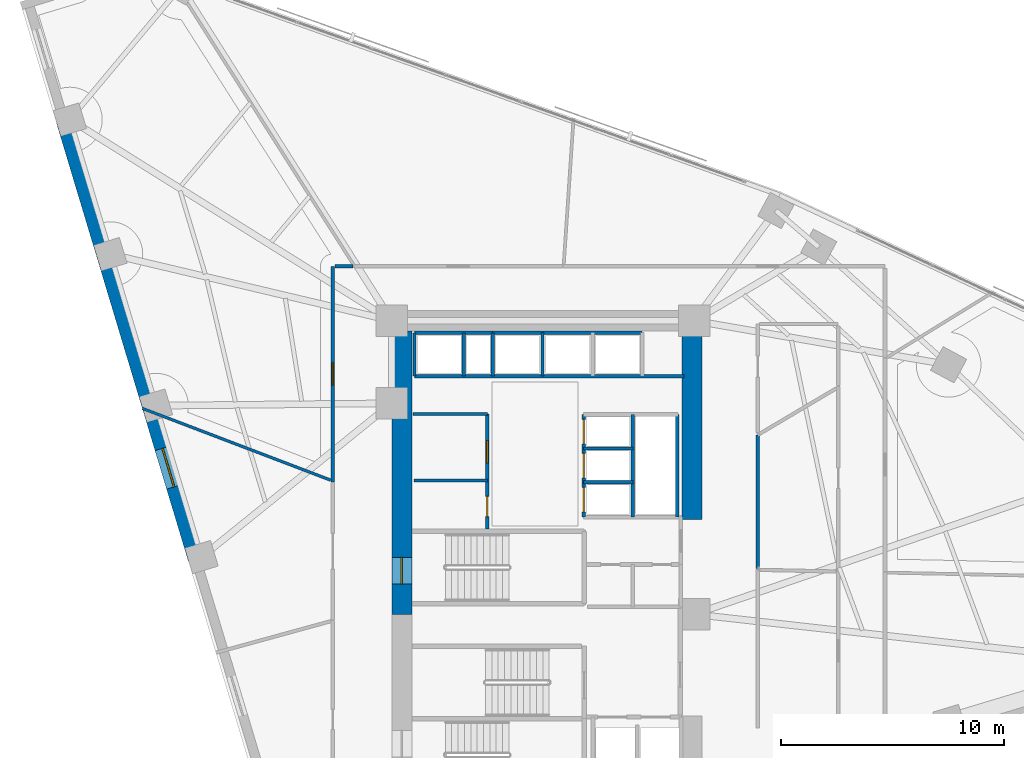
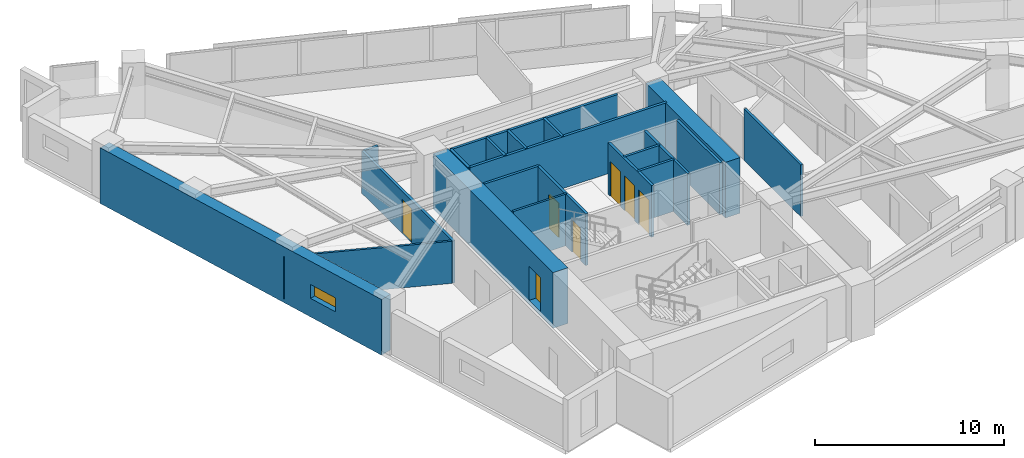
# One storey, part 11 of 16: 22 walls, 7 doors, 1 window, 8 openings.
"""IFC4 building model written with IfcOpenShell, lengths in metres."""

from ifc_helpers import new_model, si_unit, direction, frame, frame_2d, origin, place, context, subcontext, project, spatial, rectangle, extrude, material, layer, layer_set, type_object, element, fill, save


model = new_model("IFC4")

# Units and contexts
model_context = context("Model", 3, precision=1e-05, world=origin(), true_north=direction((0.0, 1.0)))
body_context = subcontext(model_context, "Body", "Model", "MODEL_VIEW")
ifc_project = project(units=[si_unit("LENGTHUNIT", "METRE"), si_unit("AREAUNIT", "SQUARE_METRE"), si_unit("VOLUMEUNIT", "CUBIC_METRE"), si_unit("PLANEANGLEUNIT", "RADIAN"), si_unit("MASSUNIT", "GRAM", prefix="KILO")], contexts=[model_context])

# Site, building, storey
site_placement = place(None, origin())
site = spatial("IfcSite", under=ifc_project, at=site_placement, CompositionType="ELEMENT")
building_placement = place(site_placement, origin())
building = spatial("IfcBuilding", under=site, at=building_placement, Name="Narakoshi Arena Tower", CompositionType="ELEMENT")
storey_placement = place(building_placement, frame((0.0, 0.0, 153.89990234375)))
storey = spatial("IfcBuildingStorey", under=building, at=storey_placement, Name="L41", CompositionType="ELEMENT", Elevation=153.89990234375)

# Wall, opening, door
ifc_material_1 = material(Name="Concrete C60/75", Category="concrete")
ifc_layer_1 = layer(ifc_material_1, 0.89990234375)
ifc_layer_set_1 = layer_set([ifc_layer_1], Name="Concrete C60/75")
wall_type_1 = type_object("IfcWallType", Name="WL-CORE-900", PredefinedType="SHEAR", material=ifc_layer_set_1)
wall_1_placement = place(storey_placement, frame((72.449951171875, 43.35009765625, -0.260009765625), z_axis=(0.0, 0.0, 1.0), x_axis=(0.0, 1.0, 0.0)))
wall_1 = element("IfcWall", 1, at=wall_1_placement, inside=storey, type_object=wall_type_1, Name="L41 Main Core Shear Wall CW-MN-W", PredefinedType="SHEAR", context=body_context, shape_type="SweptSolid", body=[
    extrude(rectangle(XDim=12.699951171875, YDim=0.89990234375, at=frame_2d((6.35009765625, 0.0))), origin(), (0.0, 0.0, 1.0), 3.60009765625),
])
opening_1_placement = place(wall_1_placement, frame((1.35009765625, 0.0, 0.260009765625)))
opening_1 = element("IfcOpeningElement", 2, at=opening_1_placement, cuts=wall_1, Name="Opening D-03", PredefinedType="OPENING", context=body_context, shape_type="SweptSolid", body=[
    extrude(rectangle(XDim=1.199951171875, YDim=2.199951171875, at=frame_2d((0.60009765625, 1.10009765625))), frame((0.0, 0.4599609375, 0.0), z_axis=(0.0, -1.0, 0.0), x_axis=(1.0, 0.0, 0.0)), (0.0, 0.0, 1.0), 0.919921875),
])
ifc_material_2 = material(Name="Painted galvanized steel", Category="steel")
door_type_1 = type_object("IfcDoorType", Name="DR-STR-1200", OperationType="NOTDEFINED", PredefinedType="USERDEFINED", material=ifc_material_2)
door_1_placement = place(opening_1_placement, frame((1.199951171875, 0.0, 0.0), z_axis=(0.0, 0.0, 1.0), x_axis=(-1.0, 0.0, 0.0)))
door_1 = element("IfcDoor", 3, at=door_1_placement, inside=storey, type_object=door_type_1, Name="DR-L41-006", ObjectType="EXITDOOR", OperationType="SINGLE_SWING_LEFT", OverallHeight=2.199951171875, OverallWidth=1.199951171875, PredefinedType="USERDEFINED", context=body_context, shape_type="SweptSolid", body=[
    extrude(rectangle(XDim=1.199951171875, YDim=2.199951171875, at=frame_2d((0.60009765625, 1.10009765625))), frame((0.0, 0.02490234375, 0.0), z_axis=(0.0, -1.0, 0.0), x_axis=(1.0, 0.0, 0.0)), (0.0, 0.0, 1.0), 0.050048828125),
])
fill(opening_1, door_1)

# Wall
wall_2_placement = place(storey_placement, frame((85.449951171875, 47.60009765625, -0.260009765625), z_axis=(0.0, 0.0, 1.0), x_axis=(0.0, 1.0, 0.0)))
element("IfcWall", 4, at=wall_2_placement, inside=storey, type_object=wall_type_1, Name="L41 Main Core Shear Wall CW-MN-E", PredefinedType="SHEAR", context=body_context, shape_type="SweptSolid", body=[
    extrude(rectangle(XDim=8.449951171875, YDim=0.89990234375, at=frame_2d((4.22509765625, 0.0))), origin(), (0.0, 0.0, 1.0), 3.60009765625),
])

# Wall, opening, door
ifc_material_3 = material(Name="Gypsum plasterboard fire-rated partition")
ifc_layer_2 = layer(ifc_material_3, 0.1650390625)
ifc_layer_set_2 = layer_set([ifc_layer_2], Name="Gypsum plasterboard fire-rated partition")
wall_type_2 = type_object("IfcWallType", Name="WL-CORR-165", PredefinedType="PARTITIONING", material=ifc_layer_set_2)
wall_3_placement = place(storey_placement, frame((69.353759765625, 58.93701171875, 0.0), z_axis=(0.0, 0.0, 1.0), x_axis=(0.0, -1.0, 0.0)))
wall_3 = element("IfcWall", 5, at=wall_3_placement, inside=storey, type_object=wall_type_2, Name="L41 Corridor Partition 08-1", PredefinedType="PARTITIONING", context=body_context, shape_type="SweptSolid", body=[
    extrude(rectangle(XDim=9.650634765625, YDim=0.1650390625, at=frame_2d((4.8251953125, 0.0))), origin(), (0.0, 0.0, 1.0), 2.72509765625),
])
opening_2_placement = place(wall_3_placement, frame((4.325439453125, 0.0, 0.0)))
opening_2 = element("IfcOpeningElement", 6, at=opening_2_placement, cuts=wall_3, Name="Opening D-06", PredefinedType="OPENING", context=body_context, shape_type="SweptSolid", body=[
    extrude(rectangle(XDim=1.0, YDim=2.199951171875, at=frame_2d((0.5, 1.10009765625))), frame((0.0, 0.092529296875, 0.0), z_axis=(0.0, -1.0, 0.0), x_axis=(1.0, 0.0, 0.0)), (0.0, 0.0, 1.0), 0.18505859375),
])
ifc_material_4 = material(Name="Stained oak solid-core timber", Category="wood")
door_type_2 = type_object("IfcDoorType", Name="DR-OFF-1000", OperationType="NOTDEFINED", PredefinedType="DOOR", material=ifc_material_4)
door_2_placement = place(opening_2_placement, frame((1.0, 0.0, 0.0), z_axis=(0.0, 0.0, 1.0), x_axis=(-1.0, 0.0, 0.0)))
door_2 = element("IfcDoor", 7, at=door_2_placement, inside=storey, type_object=door_type_2, Name="DR-L41-022", OperationType="SINGLE_SWING_RIGHT", OverallHeight=2.199951171875, OverallWidth=1.0, PredefinedType="DOOR", context=body_context, shape_type="SweptSolid", body=[
    extrude(rectangle(XDim=1.0, YDim=2.199951171875, at=frame_2d((0.5, 1.10009765625))), frame((0.0, 0.02490234375, 0.0), z_axis=(0.0, -1.0, 0.0), x_axis=(1.0, 0.0, 0.0)), (0.0, 0.0, 1.0), 0.050048828125),
])
fill(opening_2, door_2)

# Wall
wall_4_placement = place(storey_placement, frame((70.272705078125, 58.93701171875, 0.0), z_axis=(0.0, 0.0, 1.0), x_axis=(-1.0, 0.0, 0.0)))
element("IfcWall", 8, at=wall_4_placement, inside=storey, type_object=wall_type_2, Name="L41 Corridor Partition 08-2", PredefinedType="PARTITIONING", context=body_context, shape_type="SweptSolid", body=[
    extrude(rectangle(XDim=0.824462890625, YDim=0.1650390625, at=frame_2d((0.412109375, 0.0))), origin(), (0.0, 0.0, 1.0), 2.72509765625),
])

# Wall, opening, window
ifc_layer_3 = layer(ifc_material_1, 0.699951171875)
ifc_layer_set_3 = layer_set([ifc_layer_3], Name="Concrete C60/75")
wall_type_3 = type_object("IfcWallType", Name="WL-LEG-700", PredefinedType="SHEAR", material=ifc_layer_set_3)
wall_5_placement = place(storey_placement, frame((57.322509765625, 65.434326171875, -0.260009765625), z_axis=(0.0, 0.0, 1.0), x_axis=(0.288188159352, -0.957573801234, 0.0)))
wall_5 = element("IfcWall", 9, at=wall_5_placement, inside=storey, type_object=wall_type_3, Name="L41 Architectural Concrete Structural Wall LEGB-2", PredefinedType="SHEAR", context=body_context, shape_type="SweptSolid", body=[
    extrude(rectangle(XDim=20.468994140625, YDim=0.699951171875, at=frame_2d((10.234375, 0.0))), origin(), (0.0, 0.0, 1.0), 3.60009765625),
])
opening_3_placement = place(wall_5_placement, frame((15.300048828125, 0.0, 1.199951171875)))
opening_3 = element("IfcOpeningElement", 10, at=opening_3_placement, cuts=wall_5, Name="Opening WN-02", PredefinedType="OPENING", context=body_context, shape_type="SweptSolid", body=[
    extrude(rectangle(XDim=1.800048828125, YDim=0.89990234375, at=frame_2d((0.89990234375, 0.449951171875))), frame((0.0, 0.35986328125, 0.0), z_axis=(0.0, -1.0, 0.0), x_axis=(1.0, 0.0, 0.0)), (0.0, 0.0, 1.0), 0.719970703125),
])
ifc_material_5 = material(Name="Bronze-tinted low-E laminated glass", Category="glass")
window_type = type_object("IfcWindowType", Name="WIN-SLT-18x09", PartitioningType="SINGLE_PANEL", PredefinedType="WINDOW", material=ifc_material_5)
window_placement = place(opening_3_placement, origin())
window = element("IfcWindow", 11, at=window_placement, inside=storey, type_object=window_type, Name="L41 LEGB2 Horizontal Slot Window 1", OverallHeight=0.89990234375, OverallWidth=1.800048828125, PartitioningType="SINGLE_PANEL", PredefinedType="WINDOW", context=body_context, shape_type="SweptSolid", body=[
    extrude(rectangle(XDim=1.800048828125, YDim=0.89990234375, at=frame_2d((0.89990234375, 0.449951171875))), frame((0.0, 0.030029296875, 0.0), z_axis=(0.0, -1.0, 0.0), x_axis=(1.0, 0.0, 0.0)), (0.0, 0.0, 1.0), 0.06005859375),
])
fill(opening_3, window)

# Walls
ifc_layer_4 = layer(ifc_material_3, 0.125)
ifc_layer_set_4 = layer_set([ifc_layer_4], Name="Gypsum plasterboard fire-rated partition")
wall_type_4 = type_object("IfcWallType", Name="WL-PART-125", PredefinedType="PARTITIONING", material=ifc_layer_set_4)
wall_6_placement = place(storey_placement, frame((73.0, 49.35009765625, 0.0), z_axis=(0.0, 0.0, 1.0), x_axis=(1.0, 0.0, 0.0)))
element("IfcWall", 12, at=wall_6_placement, inside=storey, type_object=wall_type_4, Name="L41 Core Wall RCL-LR-D1", PredefinedType="PARTITIONING", context=body_context, shape_type="SweptSolid", body=[
    extrude(rectangle(XDim=3.280029296875, YDim=0.125, at=frame_2d((1.64013671875, 0.0))), origin(), (0.0, 0.0, 1.0), 3.340087890625),
])
wall_7_placement = place(storey_placement, frame((69.25927734375, 49.36083984375, 0.0), z_axis=(0.0, 0.0, 1.0), x_axis=(-0.934442294221, 0.356114586575, 0.0)))
element("IfcWall", 13, at=wall_7_placement, inside=storey, type_object=wall_type_4, Name="L41 Inter-Room Partition 08-09", PredefinedType="PARTITIONING", context=body_context, shape_type="SweptSolid", body=[
    extrude(rectangle(XDim=9.0234375, YDim=0.125, at=frame_2d((4.51171875, 0.0))), origin(), (0.0, 0.0, 1.0), 2.72509765625),
])
ifc_material_6 = material(Name="Concrete C40/50", Category="concrete")
ifc_layer_5 = layer(ifc_material_6, 0.280029296875)
ifc_layer_set_5 = layer_set([ifc_layer_5], Name="Concrete C40/50")
wall_type_5 = type_object("IfcWallType", Name="WL-RISER-280", PredefinedType="PLUMBINGWALL", material=ifc_layer_set_5)
for number, where, z_axis, x_axis, name in (
    (14, (80.60009765625, 49.260009765625, 0.0), (0.0, 0.0, 1.0), (1.0, 0.0, 0.0), "L41 Core Wall MR-D1"),
    (15, (80.60009765625, 50.780029296875, 0.0), (0.0, 0.0, 1.0), (1.0, 0.0, 0.0), "L41 Core Wall MR-D2"),
):
    element("IfcWall", number, at=place(storey_placement, frame(where, z_axis=z_axis, x_axis=x_axis)), inside=storey, type_object=wall_type_5, Name=name, PredefinedType="PLUMBINGWALL", context=body_context, shape_type="SweptSolid", body=[
        extrude(rectangle(XDim=2.199951171875, YDim=0.14990234375, at=frame_2d((1.10009765625, 0.0))), origin(), (0.0, 0.0, 1.0), 3.340087890625),
    ])
wall_8_placement = place(storey_placement, frame((82.800048828125, 47.699951171875, 0.0), z_axis=(0.0, 0.0, 1.0), x_axis=(0.0, 1.0, 0.0)))
element("IfcWall", 16, at=wall_8_placement, inside=storey, type_object=wall_type_5, Name="L41 Core Wall MR-E", PredefinedType="PLUMBINGWALL", context=body_context, shape_type="SweptSolid", body=[
    extrude(rectangle(XDim=4.60009765625, YDim=0.14990234375, at=frame_2d((2.300048828125, 0.0))), origin(), (0.0, 0.0, 1.0), 3.340087890625),
])
for number, where, z_axis, x_axis, name in (
    (17, (73.02001953125, 54.02001953125, 0.0), (0.0, 0.0, 1.0), (0.0, 1.0, 0.0), "L41 Core Wall OBS-W"),
    (18, (75.219970703125, 54.02001953125, 0.0), (0.0, 0.0, 1.0), (0.0, 1.0, 0.0), "L41 Core Wall OBS-M"),
):
    element("IfcWall", number, at=place(storey_placement, frame(where, z_axis=z_axis, x_axis=x_axis)), inside=storey, type_object=wall_type_5, Name=name, PredefinedType="PLUMBINGWALL", context=body_context, shape_type="SweptSolid", body=[
        extrude(rectangle(XDim=1.93994140625, YDim=0.14990234375, at=frame_2d((0.969970703125, 0.0))), origin(), (0.0, 0.0, 1.0), 3.340087890625),
    ])
wall_9_placement = place(storey_placement, frame((78.75, 54.02001953125, 0.0), z_axis=(0.0, 0.0, 1.0), x_axis=(0.0, 1.0, 0.0)))
element("IfcWall", 19, at=wall_9_placement, inside=storey, type_object=wall_type_5, Name="L41 Core Wall HR-D1", PredefinedType="PLUMBINGWALL", context=body_context, shape_type="SweptSolid", body=[
    extrude(rectangle(XDim=1.9599609375, YDim=0.14990234375, at=frame_2d((0.97998046875, 0.0))), origin(), (0.0, 0.0, 1.0), 3.340087890625),
])

# Wall, openings, doors
ifc_material_7 = material(Name="Concrete C50/60", Category="concrete")
ifc_layer_6 = layer(ifc_material_7, 0.35009765625)
ifc_layer_set_6 = layer_set([ifc_layer_6], Name="Concrete C50/60")
wall_type_6 = type_object("IfcWallType", Name="WL-SHAFT-350", PredefinedType="SOLIDWALL", material=ifc_layer_set_6)
wall_10_placement = place(storey_placement, frame((76.280029296875, 47.179931640625, 0.0), z_axis=(0.0, 0.0, 1.0), x_axis=(0.0, 1.0, 0.0)))
wall_10 = element("IfcWall", 20, at=wall_10_placement, inside=storey, type_object=wall_type_6, Name="L41 Core Wall LR-E", PredefinedType="SOLIDWALL", context=body_context, shape_type="SweptSolid", body=[
    extrude(rectangle(XDim=5.14013671875, YDim=0.159912109375, at=frame_2d((2.570068359375, 0.0))), origin(), (0.0, 0.0, 1.0), 3.340087890625),
])
opening_4_placement = place(wall_10_placement, frame((0.550048828125, 0.0, 0.0)))
opening_4 = element("IfcOpeningElement", 21, at=opening_4_placement, cuts=wall_10, Name="Opening D-08", PredefinedType="OPENING", context=body_context, shape_type="SweptSolid", body=[
    extrude(rectangle(XDim=0.89990234375, YDim=2.10009765625, at=frame_2d((0.449951171875, 1.050048828125))), frame((0.0, 0.08984375, 0.0), z_axis=(0.0, -1.0, 0.0), x_axis=(1.0, 0.0, 0.0)), (0.0, 0.0, 1.0), 0.179931640625),
])
opening_5_placement = place(wall_10_placement, frame((2.949951171875, 0.0, 0.0)))
opening_5 = element("IfcOpeningElement", 22, at=opening_5_placement, cuts=wall_10, Name="Opening D-06", PredefinedType="OPENING", context=body_context, shape_type="SweptSolid", body=[
    extrude(rectangle(XDim=1.0, YDim=2.199951171875, at=frame_2d((0.5, 1.10009765625))), frame((0.0, 0.08984375, 0.0), z_axis=(0.0, -1.0, 0.0), x_axis=(1.0, 0.0, 0.0)), (0.0, 0.0, 1.0), 0.179931640625),
])
door_3_placement = place(opening_5_placement, frame((1.0, 0.0, 0.0), z_axis=(0.0, 0.0, 1.0), x_axis=(-1.0, 0.0, 0.0)))
door_3 = element("IfcDoor", 23, at=door_3_placement, inside=storey, type_object=door_type_2, Name="DR-L41-011", OperationType="SINGLE_SWING_LEFT", OverallHeight=2.199951171875, OverallWidth=1.0, PredefinedType="DOOR", context=body_context, shape_type="SweptSolid", body=[
    extrude(rectangle(XDim=1.0, YDim=2.199951171875, at=frame_2d((0.5, 1.10009765625))), frame((0.0, 0.02490234375, 0.0), z_axis=(0.0, -1.0, 0.0), x_axis=(1.0, 0.0, 0.0)), (0.0, 0.0, 1.0), 0.050048828125),
])
fill(opening_5, door_3)
ifc_material_8 = material(Name="Moisture-resistant laminate timber", Category="wood")
door_type_3 = type_object("IfcDoorType", Name="DR-WC-900", OperationType="NOTDEFINED", PredefinedType="DOOR", material=ifc_material_8)
door_4_placement = place(opening_4_placement, frame((0.89990234375, 0.0, 0.0), z_axis=(0.0, 0.0, 1.0), x_axis=(-1.0, 0.0, 0.0)))
door_4 = element("IfcDoor", 24, at=door_4_placement, inside=storey, type_object=door_type_3, Name="DR-L41-010", OperationType="SINGLE_SWING_RIGHT", OverallHeight=2.10009765625, OverallWidth=0.89990234375, PredefinedType="DOOR", context=body_context, shape_type="SweptSolid", body=[
    extrude(rectangle(XDim=0.89990234375, YDim=2.10009765625, at=frame_2d((0.449951171875, 1.050048828125))), frame((0.0, 0.02490234375, 0.0), z_axis=(0.0, -1.0, 0.0), x_axis=(1.0, 0.0, 0.0)), (0.0, 0.0, 1.0), 0.050048828125),
])
fill(opening_4, door_4)

# Wall
wall_11_placement = place(storey_placement, frame((72.949951171875, 52.320068359375, 0.0), z_axis=(0.0, 0.0, 1.0), x_axis=(1.0, 0.0, 0.0)))
element("IfcWall", 25, at=wall_11_placement, inside=storey, type_object=wall_type_6, Name="L41 Core Wall LR-N", PredefinedType="SOLIDWALL", context=body_context, shape_type="SweptSolid", body=[
    extrude(rectangle(XDim=3.330078125, YDim=0.14990234375, at=frame_2d((1.6650390625, 0.0))), origin(), (0.0, 0.0, 1.0), 3.340087890625),
])

# Wall, openings, doors
wall_12_placement = place(storey_placement, frame((80.60009765625, 47.699951171875, 0.0), z_axis=(0.0, 0.0, 1.0), x_axis=(0.0, 1.0, 0.0)))
wall_12 = element("IfcWall", 26, at=wall_12_placement, inside=storey, type_object=wall_type_6, Name="L41 Core Wall MR-W", PredefinedType="SOLIDWALL", context=body_context, shape_type="SweptSolid", body=[
    extrude(rectangle(XDim=4.60009765625, YDim=0.159912109375, at=frame_2d((2.300048828125, 0.0))), origin(), (0.0, 0.0, 1.0), 3.340087890625),
])
opening_6_placement = place(wall_12_placement, frame((0.239990234375, 0.0, 0.0)))
opening_6 = element("IfcOpeningElement", 27, at=opening_6_placement, cuts=wall_12, Name="Opening LD-01", PredefinedType="OPENING", context=body_context, shape_type="SweptSolid", body=[
    extrude(rectangle(XDim=1.10009765625, YDim=2.25, at=frame_2d((0.550048828125, 1.125))), frame((0.0, 0.08984375, 0.0), z_axis=(0.0, -1.0, 0.0), x_axis=(1.0, 0.0, 0.0)), (0.0, 0.0, 1.0), 0.179931640625),
])
opening_7_placement = place(wall_12_placement, frame((1.760009765625, 0.0, 0.0)))
opening_7 = element("IfcOpeningElement", 28, at=opening_7_placement, cuts=wall_12, Name="Opening LD-01", PredefinedType="OPENING", context=body_context, shape_type="SweptSolid", body=[
    extrude(rectangle(XDim=1.10009765625, YDim=2.25, at=frame_2d((0.550048828125, 1.125))), frame((0.0, 0.08984375, 0.0), z_axis=(0.0, -1.0, 0.0), x_axis=(1.0, 0.0, 0.0)), (0.0, 0.0, 1.0), 0.179931640625),
])
opening_8_placement = place(wall_12_placement, frame((3.280029296875, 0.0, 0.0)))
opening_8 = element("IfcOpeningElement", 29, at=opening_8_placement, cuts=wall_12, Name="Opening LD-01", PredefinedType="OPENING", context=body_context, shape_type="SweptSolid", body=[
    extrude(rectangle(XDim=1.10009765625, YDim=2.25, at=frame_2d((0.550048828125, 1.125))), frame((0.0, 0.08984375, 0.0), z_axis=(0.0, -1.0, 0.0), x_axis=(1.0, 0.0, 0.0)), (0.0, 0.0, 1.0), 0.179931640625),
])
ifc_material_9 = material(Name="Brushed bronze stainless steel", Category="steel")
door_type_4 = type_object("IfcDoorType", Name="DR-LFT-1100", OperationType="DOUBLE_DOOR_SLIDING", PredefinedType="DOOR", material=ifc_material_9)
door_5_placement = place(opening_6_placement, frame((1.10009765625, 0.0, 0.0), z_axis=(0.0, 0.0, 1.0), x_axis=(-1.0, 0.0, 0.0)))
door_5 = element("IfcDoor", 30, at=door_5_placement, inside=storey, type_object=door_type_4, Name="DR-L41-012", OperationType="DOUBLE_DOOR_SLIDING", OverallHeight=2.25, OverallWidth=1.10009765625, PredefinedType="DOOR", context=body_context, shape_type="SweptSolid", body=[
    extrude(rectangle(XDim=1.10009765625, YDim=2.25, at=frame_2d((0.550048828125, 1.125))), frame((0.0, 0.02490234375, 0.0), z_axis=(0.0, -1.0, 0.0), x_axis=(1.0, 0.0, 0.0)), (0.0, 0.0, 1.0), 0.050048828125),
])
fill(opening_6, door_5)
door_6_placement = place(opening_7_placement, frame((1.10009765625, 0.0, 0.0), z_axis=(0.0, 0.0, 1.0), x_axis=(-1.0, 0.0, 0.0)))
door_6 = element("IfcDoor", 31, at=door_6_placement, inside=storey, type_object=door_type_4, Name="DR-L41-013", OperationType="DOUBLE_DOOR_SLIDING", OverallHeight=2.25, OverallWidth=1.10009765625, PredefinedType="DOOR", context=body_context, shape_type="SweptSolid", body=[
    extrude(rectangle(XDim=1.10009765625, YDim=2.25, at=frame_2d((0.550048828125, 1.125))), frame((0.0, 0.02490234375, 0.0), z_axis=(0.0, -1.0, 0.0), x_axis=(1.0, 0.0, 0.0)), (0.0, 0.0, 1.0), 0.050048828125),
])
fill(opening_7, door_6)
door_7_placement = place(opening_8_placement, frame((1.10009765625, 0.0, 0.0), z_axis=(0.0, 0.0, 1.0), x_axis=(-1.0, 0.0, 0.0)))
door_7 = element("IfcDoor", 32, at=door_7_placement, inside=storey, type_object=door_type_4, Name="DR-L41-014", OperationType="DOUBLE_DOOR_SLIDING", OverallHeight=2.25, OverallWidth=1.10009765625, PredefinedType="DOOR", context=body_context, shape_type="SweptSolid", body=[
    extrude(rectangle(XDim=1.10009765625, YDim=2.25, at=frame_2d((0.550048828125, 1.125))), frame((0.0, 0.02490234375, 0.0), z_axis=(0.0, -1.0, 0.0), x_axis=(1.0, 0.0, 0.0)), (0.0, 0.0, 1.0), 0.050048828125),
])
fill(opening_8, door_7)

# Walls
wall_13_placement = place(storey_placement, frame((84.780029296875, 47.699951171875, 0.0), z_axis=(0.0, 0.0, 1.0), x_axis=(0.0, 1.0, 0.0)))
element("IfcWall", 33, at=wall_13_placement, inside=storey, type_object=wall_type_6, Name="L41 Core Wall MR-E2", PredefinedType="SOLIDWALL", context=body_context, shape_type="SweptSolid", body=[
    extrude(rectangle(XDim=4.60009765625, YDim=0.159912109375, at=frame_2d((2.300048828125, 0.0))), origin(), (0.0, 0.0, 1.0), 3.340087890625),
])
wall_14_placement = place(storey_placement, frame((73.02001953125, 54.02001953125, 0.0), z_axis=(0.0, 0.0, 1.0), x_axis=(1.0, 0.0, 0.0)))
element("IfcWall", 34, at=wall_14_placement, inside=storey, type_object=wall_type_6, Name="L41 Core Wall NSHF-S", PredefinedType="SOLIDWALL", context=body_context, shape_type="SweptSolid", body=[
    extrude(rectangle(XDim=12.080078125, YDim=0.159912109375, at=frame_2d((6.0400390625, 0.0))), origin(), (0.0, 0.0, 1.0), 3.340087890625),
])
wall_15_placement = place(storey_placement, frame((73.02001953125, 55.9599609375, 0.0), z_axis=(0.0, 0.0, 1.0), x_axis=(1.0, 0.0, 0.0)))
element("IfcWall", 35, at=wall_15_placement, inside=storey, type_object=wall_type_6, Name="L41 Core Wall OBS-N", PredefinedType="SOLIDWALL", context=body_context, shape_type="SweptSolid", body=[
    extrude(rectangle(XDim=3.5, YDim=0.14990234375, at=frame_2d((1.75, 0.0))), origin(), (0.0, 0.0, 1.0), 3.340087890625),
])
wall_16_placement = place(storey_placement, frame((76.52001953125, 54.02001953125, 0.0), z_axis=(0.0, 0.0, 1.0), x_axis=(0.0, 1.0, 0.0)))
element("IfcWall", 36, at=wall_16_placement, inside=storey, type_object=wall_type_6, Name="L41 Core Wall OBS-E", PredefinedType="SOLIDWALL", context=body_context, shape_type="SweptSolid", body=[
    extrude(rectangle(XDim=1.93994140625, YDim=0.14990234375, at=frame_2d((0.969970703125, 0.0))), origin(), (0.0, 0.0, 1.0), 3.340087890625),
])
wall_17_placement = place(storey_placement, frame((76.52001953125, 55.9599609375, 0.0), z_axis=(0.0, 0.0, 1.0), x_axis=(1.0, 0.0, 0.0)))
element("IfcWall", 37, at=wall_17_placement, inside=storey, type_object=wall_type_6, Name="L41 Core Wall HR-N", PredefinedType="SOLIDWALL", context=body_context, shape_type="SweptSolid", body=[
    extrude(rectangle(XDim=6.699951171875, YDim=0.14990234375, at=frame_2d((3.35009765625, 0.0))), origin(), (0.0, 0.0, 1.0), 3.340087890625),
])
ifc_material_10 = material(Name="Moisture-resistant cement-board partition")
ifc_layer_7 = layer(ifc_material_10, 0.14501953125)
ifc_layer_set_7 = layer_set([ifc_layer_7], Name="Moisture-resistant cement-board partition")
wall_type_7 = type_object("IfcWallType", Name="WL-WET-145", PredefinedType="PARTITIONING", material=ifc_layer_set_7)
wall_18_placement = place(storey_placement, frame((88.39990234375, 45.402587890625, 0.0), z_axis=(0.0, 0.0, 1.0), x_axis=(0.0, 1.0, 0.0)))
element("IfcWall", 38, at=wall_18_placement, inside=storey, type_object=wall_type_7, Name="L41 Corridor Partition 04-2", PredefinedType="PARTITIONING", context=body_context, shape_type="SweptSolid", body=[
    extrude(rectangle(XDim=5.98583984375, YDim=0.14501953125, at=frame_2d((2.992919921875, 0.0))), origin(), (0.0, 0.0, 1.0), 3.340087890625),
])

save(model, "model.ifc")
